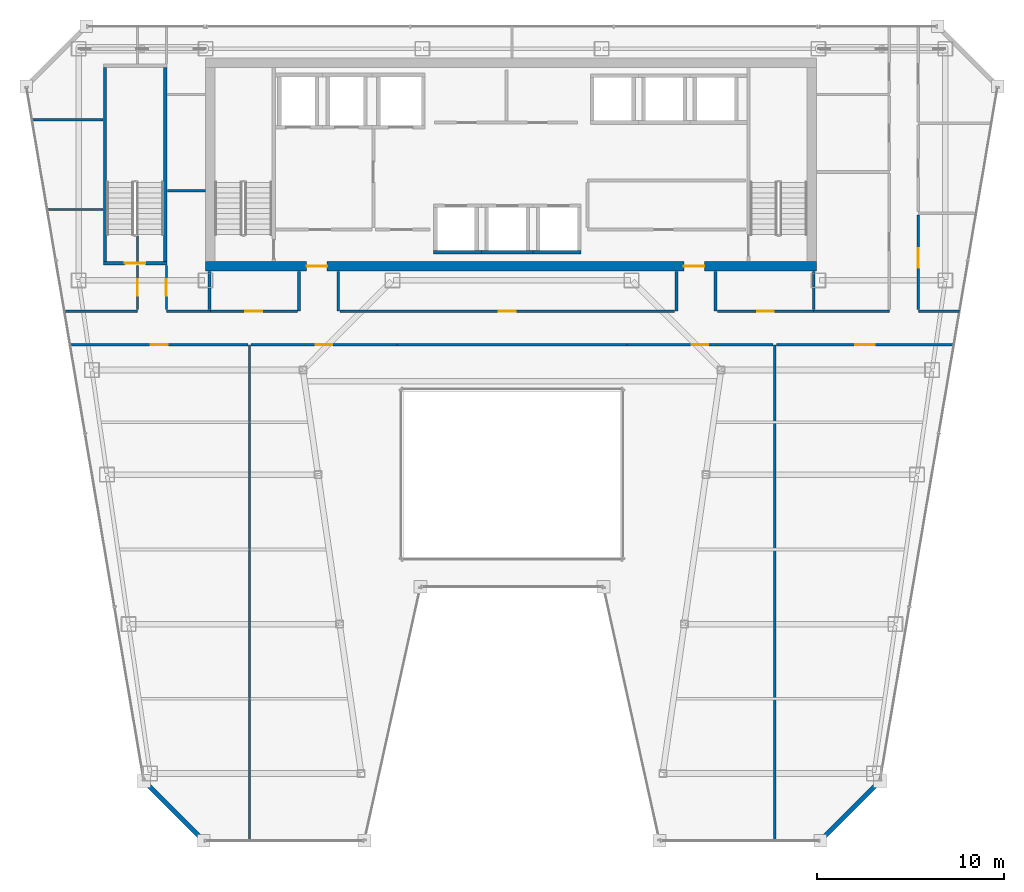
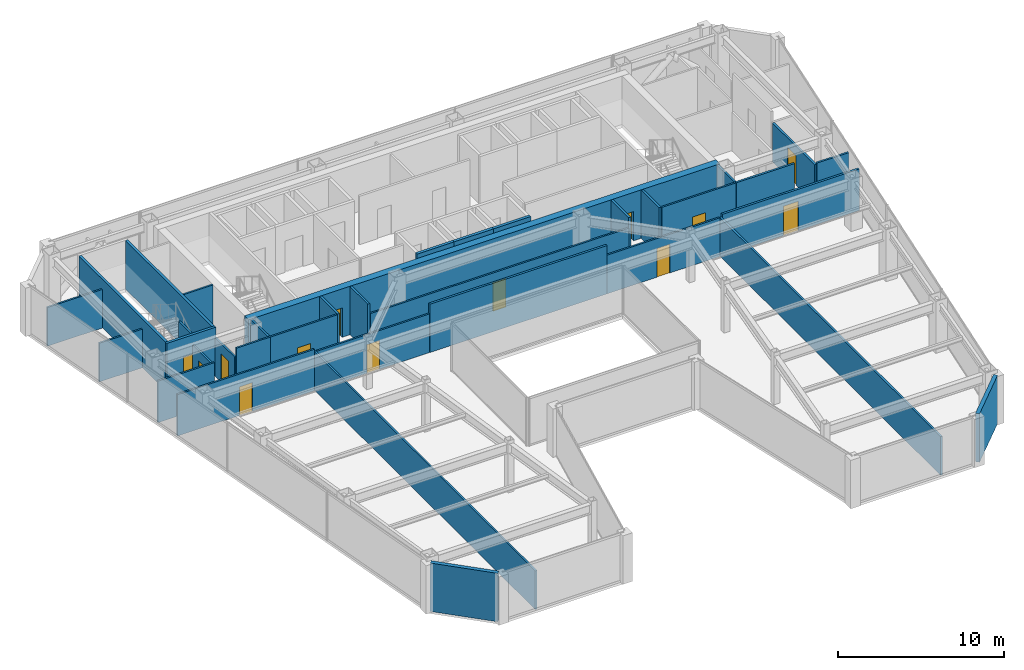
# One storey, part 30 of 35: 36 walls, 13 doors, 13 openings.
"""IFC4 building model written with IfcOpenShell, lengths in metres."""

from ifc_helpers import new_model, si_unit, direction, frame, frame_2d, origin, place, context, subcontext, project, spatial, rectangle, extrude, material, layer, layer_set, type_object, element, fill, save


model = new_model("IFC4")

# Units and contexts
model_context = context("Model", 3, precision=1e-05, world=origin(), true_north=direction((0.0, 1.0)))
body_context = subcontext(model_context, "Body", "Model", "MODEL_VIEW")
ifc_project = project(units=[si_unit("LENGTHUNIT", "METRE"), si_unit("AREAUNIT", "SQUARE_METRE"), si_unit("VOLUMEUNIT", "CUBIC_METRE"), si_unit("PLANEANGLEUNIT", "RADIAN"), si_unit("MASSUNIT", "GRAM", prefix="KILO")], contexts=[model_context])

# Site, building, storey
site_placement = place(None, origin())
site = spatial("IfcSite", under=ifc_project, at=site_placement, CompositionType="ELEMENT")
building_placement = place(site_placement, origin())
building = spatial("IfcBuilding", under=site, at=building_placement, Name="Saevonmaru Cultural Tower", CompositionType="ELEMENT")
storey_placement = place(building_placement, frame((0.0, 0.0, 213.199951171875)))
storey = spatial("IfcBuildingStorey", under=building, at=storey_placement, Name="L49", CompositionType="ELEMENT", Elevation=213.199951171875)

# Wall, openings, doors
ifc_material_1 = material(Name="Concrete C60/75", Category="concrete")
ifc_layer_1 = layer(ifc_material_1, 0.5, Name="Concrete C60/75")
ifc_layer_set_1 = layer_set([ifc_layer_1], Name="Concrete C60/75")
wall_type_1 = type_object("IfcWallType", Name="WL-CORE-500", PredefinedType="SHEAR", material=ifc_layer_set_1)
wall_1_placement = place(storey_placement, frame((13.60009765625, 43.14990234375, 0.0), z_axis=(0.0, 0.0, 1.0), x_axis=(1.0, 0.0, 0.0)))
wall_1 = element("IfcWall", 1, at=wall_1_placement, inside=storey, type_object=wall_type_1, Name="L49 Tower RC core shear wall S", PredefinedType="SHEAR", context=body_context, shape_type="SweptSolid", body=[
    extrude(rectangle(XDim=32.699951171875, YDim=0.5, at=frame_2d((16.35009765625, 0.0))), origin(), (0.0, 0.0, 1.0), 3.550048828125),
])
opening_1_placement = place(wall_1_placement, frame((5.39990234375, 0.0, 0.0)))
opening_1 = element("IfcOpeningElement", 2, at=opening_1_placement, cuts=wall_1, Name="Opening FD-2", PredefinedType="OPENING", context=body_context, shape_type="SweptSolid", body=[
    extrude(rectangle(XDim=1.10009765625, YDim=2.14990234375, at=frame_2d((0.550048828125, 1.074951171875))), frame((0.0, 0.260009765625, 0.0), z_axis=(0.0, -1.0, 0.0), x_axis=(1.0, 0.0, 0.0)), (0.0, 0.0, 1.0), 0.52001953125),
])
opening_2_placement = place(wall_1_placement, frame((25.60009765625, 0.0, 0.0)))
opening_2 = element("IfcOpeningElement", 3, at=opening_2_placement, cuts=wall_1, Name="Opening FD-2", PredefinedType="OPENING", context=body_context, shape_type="SweptSolid", body=[
    extrude(rectangle(XDim=1.10009765625, YDim=2.14990234375, at=frame_2d((0.550048828125, 1.074951171875))), frame((0.0, 0.260009765625, 0.0), z_axis=(0.0, -1.0, 0.0), x_axis=(1.0, 0.0, 0.0)), (0.0, 0.0, 1.0), 0.52001953125),
])
ifc_material_2 = material(Name="Satin Bronze Anodised Aluminium", Category="aluminium")
door_type_1 = type_object("IfcDoorType", Name="DR-FD60-1100", OperationType="SINGLE_SWING_LEFT", PredefinedType="DOOR", material=ifc_material_2)
door_1_placement = place(opening_1_placement, origin())
door_1 = element("IfcDoor", 4, at=door_1_placement, inside=storey, type_object=door_type_1, Name="L49 Core West Lobby Fire Door", OperationType="SINGLE_SWING_LEFT", OverallHeight=2.14990234375, OverallWidth=1.10009765625, PredefinedType="DOOR", context=body_context, shape_type="SweptSolid", body=[
    extrude(rectangle(XDim=1.10009765625, YDim=2.14990234375, at=frame_2d((0.550048828125, 1.074951171875))), frame((0.0, 0.02490234375, 0.0), z_axis=(0.0, -1.0, 0.0), x_axis=(1.0, 0.0, 0.0)), (0.0, 0.0, 1.0), 0.050048828125),
])
fill(opening_1, door_1)
door_2_placement = place(opening_2_placement, origin())
door_2 = element("IfcDoor", 5, at=door_2_placement, inside=storey, type_object=door_type_1, Name="L49 Core East Lobby Fire Door", OperationType="SINGLE_SWING_LEFT", OverallHeight=2.14990234375, OverallWidth=1.10009765625, PredefinedType="DOOR", context=body_context, shape_type="SweptSolid", body=[
    extrude(rectangle(XDim=1.10009765625, YDim=2.14990234375, at=frame_2d((0.550048828125, 1.074951171875))), frame((0.0, 0.02490234375, 0.0), z_axis=(0.0, -1.0, 0.0), x_axis=(1.0, 0.0, 0.0)), (0.0, 0.0, 1.0), 0.050048828125),
])
fill(opening_2, door_2)

# Walls
ifc_material_3 = material(Name="Granite-Clad Precast Concrete C40/50", Category="masonry")
ifc_layer_2 = layer(ifc_material_3, 0.260009765625, Name="Granite-Clad Precast Concrete C40/50")
ifc_layer_set_2 = layer_set([ifc_layer_2], Name="Granite-Clad Precast Concrete C40/50")
wall_type_2 = type_object("IfcWallType", Name="WL-EXT-SPANDREL-260", PredefinedType="STANDARD", material=ifc_layer_set_2)
for number, where, z_axis, x_axis, name in (
    (6, (10.410888671875, 15.48681640625, 0.0), (0.0, 0.0, 1.0), (0.707135806771, -0.70707775441, 0.0), "L49 Chamfer Corner Spandrel Wall E1"),
    (7, (46.615234375, 12.51318359375, 0.0), (0.0, 0.0, 1.0), (0.707135806771, 0.70707775441, 0.0), "L49 Chamfer Corner Spandrel Wall E7"),
):
    element("IfcWall", number, at=place(storey_placement, frame(where, z_axis=z_axis, x_axis=x_axis)), inside=storey, type_object=wall_type_2, Name=name, PredefinedType="STANDARD", context=body_context, shape_type="SweptSolid", body=[
        extrude(rectangle(XDim=4.20556640625, YDim=0.260009765625, at=frame_2d((2.102783203125, 0.0))), origin(), (0.0, 0.0, 1.0), 3.550048828125),
    ])

# Wall, opening, door
ifc_material_4 = material(Name="Gypsum Fireboard Partition", Category="gypsum")
ifc_layer_3 = layer(ifc_material_4, 0.14990234375, Name="Gypsum Fireboard Partition")
ifc_layer_set_3 = layer_set([ifc_layer_3], Name="Gypsum Fireboard Partition")
wall_type_3 = type_object("IfcWallType", Name="WL-PART-FIRE-150", PredefinedType="PARTITIONING", material=ifc_layer_set_3)
wall_2_placement = place(storey_placement, frame((51.75, 40.83740234375, 0.0), z_axis=(0.0, 0.0, 1.0), x_axis=(0.0, 1.0, 0.0)))
wall_2 = element("IfcWall", 8, at=wall_2_placement, inside=storey, type_object=wall_type_3, Name="L49 Sky Observatory Gallery Corridor Wall", PredefinedType="PARTITIONING", context=body_context, shape_type="SweptSolid", body=[
    extrude(rectangle(XDim=5.0751953125, YDim=0.14990234375, at=frame_2d((2.53759765625, 0.0))), origin(), (0.0, 0.0, 1.0), 2.8349609375),
])
opening_3_placement = place(wall_2_placement, frame((2.23291015625, 0.0, 0.0)))
opening_3 = element("IfcOpeningElement", 9, at=opening_3_placement, cuts=wall_2, Name="Opening ID-1", PredefinedType="OPENING", context=body_context, shape_type="SweptSolid", body=[
    extrude(rectangle(XDim=1.050048828125, YDim=2.14990234375, at=frame_2d((0.52490234375, 1.074951171875))), frame((0.0, 0.0849609375, 0.0), z_axis=(0.0, -1.0, 0.0), x_axis=(1.0, 0.0, 0.0)), (0.0, 0.0, 1.0), 0.169921875),
])
door_type_2 = type_object("IfcDoorType", Name="DR-INT-1050", OperationType="SINGLE_SWING_LEFT", PredefinedType="DOOR", material=ifc_material_2)
door_3_placement = place(opening_3_placement, origin())
door_3 = element("IfcDoor", 10, at=door_3_placement, inside=storey, type_object=door_type_2, Name="L49 Sky Observatory Gallery Door", OperationType="SINGLE_SWING_LEFT", OverallHeight=2.14990234375, OverallWidth=1.050048828125, PredefinedType="DOOR", context=body_context, shape_type="SweptSolid", body=[
    extrude(rectangle(XDim=1.050048828125, YDim=2.14990234375, at=frame_2d((0.52490234375, 1.074951171875))), frame((0.0, 0.02490234375, 0.0), z_axis=(0.0, -1.0, 0.0), x_axis=(1.0, 0.0, 0.0)), (0.0, 0.0, 1.0), 0.050048828125),
])
fill(opening_3, door_3)

# Walls
wall_3_placement = place(storey_placement, frame((13.800048828125, 40.830078125, 0.0), z_axis=(0.0, 0.0, 1.0), x_axis=(0.0, 1.0, 0.0)))
element("IfcWall", 11, at=wall_3_placement, inside=storey, type_object=wall_type_3, Name="L49 Core Portal Side Wall W0", PredefinedType="PARTITIONING", context=body_context, shape_type="SweptSolid", body=[
    extrude(rectangle(XDim=2.0498046875, YDim=0.14990234375, at=frame_2d((1.02490234375, 0.0))), origin(), (0.0, 0.0, 1.0), 3.550048828125),
])
for number, where, z_axis, x_axis, name in (
    (12, (18.60009765625, 40.75, 0.0), (0.0, 0.0, 1.0), (0.0, 1.0, 0.0), "L49 Core Portal Side Wall W1"),
    (13, (20.699951171875, 40.75, 0.0), (0.0, 0.0, 1.0), (0.0, 1.0, 0.0), "L49 Core Portal Side Wall W2"),
    (14, (38.800048828125, 40.75, 0.0), (0.0, 0.0, 1.0), (0.0, 1.0, 0.0), "L49 Core Portal Side Wall E1"),
    (15, (40.89990234375, 40.75, 0.0), (0.0, 0.0, 1.0), (0.0, 1.0, 0.0), "L49 Core Portal Side Wall E2"),
):
    element("IfcWall", number, at=place(storey_placement, frame(where, z_axis=z_axis, x_axis=x_axis)), inside=storey, type_object=wall_type_3, Name=name, PredefinedType="PARTITIONING", context=body_context, shape_type="SweptSolid", body=[
        extrude(rectangle(XDim=2.1298828125, YDim=0.14990234375, at=frame_2d((1.06494140625, 0.0))), origin(), (0.0, 0.0, 1.0), 3.550048828125),
    ])
wall_4_placement = place(storey_placement, frame((23.85009765625, 38.949951171875, 0.0), z_axis=(0.0, 0.0, 1.0), x_axis=(1.0, 0.0, 0.0)))
element("IfcWall", 16, at=wall_4_placement, inside=storey, type_object=wall_type_3, Name="L49 North Atrium Corridor Wall", PredefinedType="PARTITIONING", context=body_context, shape_type="SweptSolid", body=[
    extrude(rectangle(XDim=12.2998046875, YDim=0.14990234375, at=frame_2d((6.14990234375, 0.0))), origin(), (0.0, 0.0, 1.0), 3.550048828125),
])

# Wall, opening, door
wall_5_placement = place(storey_placement, frame((44.1474609375, 38.949951171875, 0.0), z_axis=(0.0, 0.0, 1.0), x_axis=(1.0, 0.0, 0.0)))
wall_5 = element("IfcWall", 17, at=wall_5_placement, inside=storey, type_object=wall_type_3, Name="L49 Sky Observatory Gallery Corridor Wall", PredefinedType="PARTITIONING", context=body_context, shape_type="SweptSolid", body=[
    extrude(rectangle(XDim=9.48974609375, YDim=0.14990234375, at=frame_2d((4.744873046875, 0.0))), origin(), (0.0, 0.0, 1.0), 3.03515625),
])
opening_4_placement = place(wall_5_placement, frame((4.219970703125, 0.0, 0.0)))
opening_4 = element("IfcOpeningElement", 18, at=opening_4_placement, cuts=wall_5, Name="Opening ID-1", PredefinedType="OPENING", context=body_context, shape_type="SweptSolid", body=[
    extrude(rectangle(XDim=1.050048828125, YDim=2.14990234375, at=frame_2d((0.52490234375, 1.074951171875))), frame((0.0, 0.0849609375, 0.0), z_axis=(0.0, -1.0, 0.0), x_axis=(1.0, 0.0, 0.0)), (0.0, 0.0, 1.0), 0.169921875),
])
door_4_placement = place(opening_4_placement, origin())
door_4 = element("IfcDoor", 19, at=door_4_placement, inside=storey, type_object=door_type_2, Name="L49 Sky Observatory Gallery Door", OperationType="SINGLE_SWING_RIGHT", OverallHeight=2.14990234375, OverallWidth=1.050048828125, PredefinedType="DOOR", context=body_context, shape_type="SweptSolid", body=[
    extrude(rectangle(XDim=1.050048828125, YDim=2.14990234375, at=frame_2d((0.52490234375, 1.074951171875))), frame((0.0, 0.02490234375, 0.0), z_axis=(0.0, -1.0, 0.0), x_axis=(1.0, 0.0, 0.0)), (0.0, 0.0, 1.0), 0.050048828125),
])
fill(opening_4, door_4)

# Walls
ifc_layer_4 = layer(ifc_material_4, 0.1201171875, Name="Gypsum Fireboard Partition")
ifc_layer_set_4 = layer_set([ifc_layer_4], Name="Gypsum Fireboard Partition")
wall_type_4 = type_object("IfcWallType", Name="WL-PART-GYP-120", PredefinedType="PARTITIONING", material=ifc_layer_set_4)
wall_6_placement = place(storey_placement, frame((6.045166015625, 40.75, 0.0), z_axis=(0.0, 0.0, 1.0), x_axis=(1.0, 0.0, 0.0)))
element("IfcWall", 20, at=wall_6_placement, inside=storey, type_object=wall_type_4, Name="L49 NW Wing South Wall", PredefinedType="PARTITIONING", context=body_context, shape_type="SweptSolid", body=[
    extrude(rectangle(XDim=3.90478515625, YDim=0.1201171875, at=frame_2d((1.952392578125, 0.0))), origin(), (0.0, 0.0, 1.0), 3.03515625),
])
wall_7_placement = place(storey_placement, frame((11.5, 40.75, 0.0), z_axis=(0.0, 0.0, 1.0), x_axis=(1.0, 0.0, 0.0)))
element("IfcWall", 21, at=wall_7_placement, inside=storey, type_object=wall_type_4, Name="L49 NW Inner South Wall", PredefinedType="PARTITIONING", context=body_context, shape_type="SweptSolid", body=[
    extrude(rectangle(XDim=2.35009765625, YDim=0.1201171875, at=frame_2d((1.175048828125, 0.0))), origin(), (0.0, 0.0, 1.0), 3.550048828125),
])
wall_8_placement = place(storey_placement, frame((5.122314453125, 46.199951171875, 0.0), z_axis=(0.0, 0.0, 1.0), x_axis=(1.0, 0.0, 0.0)))
element("IfcWall", 22, at=wall_8_placement, inside=storey, type_object=wall_type_4, Name="L49 NW Studio Divider 1", PredefinedType="PARTITIONING", context=body_context, shape_type="SweptSolid", body=[
    extrude(rectangle(XDim=2.977783203125, YDim=0.1201171875, at=frame_2d((1.48876953125, 0.0))), origin(), (0.0, 0.0, 1.0), 2.8349609375),
])
wall_9_placement = place(storey_placement, frame((4.309814453125, 51.0, 0.0), z_axis=(0.0, 0.0, 1.0), x_axis=(1.0, 0.0, 0.0)))
element("IfcWall", 23, at=wall_9_placement, inside=storey, type_object=wall_type_4, Name="L49 NW Studio Divider 2", PredefinedType="PARTITIONING", context=body_context, shape_type="SweptSolid", body=[
    extrude(rectangle(XDim=3.790283203125, YDim=0.1201171875, at=frame_2d((1.89501953125, 0.0))), origin(), (0.0, 0.0, 1.0), 2.8349609375),
])

# Wall, opening, door
wall_10_placement = place(storey_placement, frame((9.949951171875, 40.830078125, 0.0), z_axis=(0.0, 0.0, 1.0), x_axis=(0.0, 1.0, 0.0)))
wall_10 = element("IfcWall", 24, at=wall_10_placement, inside=storey, type_object=wall_type_4, Name="L49 Design Seminar Classroom Corridor Wall", PredefinedType="PARTITIONING", context=body_context, shape_type="SweptSolid", body=[
    extrude(rectangle(XDim=2.369873046875, YDim=0.1201171875, at=frame_2d((1.18505859375, 0.0))), origin(), (0.0, 0.0, 1.0), 2.8349609375),
])
opening_5_placement = place(wall_10_placement, frame((0.735107421875, 0.0, 0.0)))
opening_5 = element("IfcOpeningElement", 25, at=opening_5_placement, cuts=wall_10, Name="Opening ID-2", PredefinedType="OPENING", context=body_context, shape_type="SweptSolid", body=[
    extrude(rectangle(XDim=0.89990234375, YDim=2.10009765625, at=frame_2d((0.449951171875, 1.050048828125))), frame((0.0, 0.070068359375, 0.0), z_axis=(0.0, -1.0, 0.0), x_axis=(1.0, 0.0, 0.0)), (0.0, 0.0, 1.0), 0.14013671875),
])
ifc_material_5 = material(Name="Acoustic Stained Oak Timber", Category="wood")
door_type_3 = type_object("IfcDoorType", Name="DR-INT-900", OperationType="SINGLE_SWING_RIGHT", PredefinedType="DOOR", material=ifc_material_5)
door_5_placement = place(opening_5_placement, origin())
door_5 = element("IfcDoor", 26, at=door_5_placement, inside=storey, type_object=door_type_3, Name="L49 Design Seminar Classroom Door", OperationType="SINGLE_SWING_LEFT", OverallHeight=2.10009765625, OverallWidth=0.89990234375, PredefinedType="DOOR", context=body_context, shape_type="SweptSolid", body=[
    extrude(rectangle(XDim=0.89990234375, YDim=2.10009765625, at=frame_2d((0.449951171875, 1.050048828125))), frame((0.0, 0.02490234375, 0.0), z_axis=(0.0, -1.0, 0.0), x_axis=(1.0, 0.0, 0.0)), (0.0, 0.0, 1.0), 0.050048828125),
])
fill(opening_5, door_5)

# Walls
wall_11_placement = place(storey_placement, frame((9.949951171875, 43.419921875, 0.0), z_axis=(0.0, 0.0, 1.0), x_axis=(0.0, 1.0, 0.0)))
element("IfcWall", 27, at=wall_11_placement, inside=storey, type_object=wall_type_4, Name="L49 Design Seminar Classroom Corridor Wall (2)", PredefinedType="PARTITIONING", context=body_context, shape_type="SweptSolid", body=[
    extrude(rectangle(XDim=1.4501953125, YDim=0.1201171875, at=frame_2d((0.72509765625, 0.0))), origin(), (0.0, 0.0, 1.0), 3.550048828125),
])
wall_12_placement = place(storey_placement, frame((11.550048828125, 47.199951171875, 0.0), z_axis=(0.0, 0.0, 1.0), x_axis=(1.0, 0.0, 0.0)))
element("IfcWall", 28, at=wall_12_placement, inside=storey, type_object=wall_type_4, Name="L49 NW Inner Divider", PredefinedType="PARTITIONING", context=body_context, shape_type="SweptSolid", body=[
    extrude(rectangle(XDim=2.030029296875, YDim=0.1201171875, at=frame_2d((1.01513671875, 0.0))), origin(), (0.0, 0.0, 1.0), 3.550048828125),
])

# Wall, opening, door
wall_13_placement = place(storey_placement, frame((11.5, 40.830078125, 0.0), z_axis=(0.0, 0.0, 1.0), x_axis=(0.0, 1.0, 0.0)))
wall_13 = element("IfcWall", 29, at=wall_13_placement, inside=storey, type_object=wall_type_4, Name="L49 Printmaking Workshop Classroom Corridor Wall", PredefinedType="PARTITIONING", context=body_context, shape_type="SweptSolid", body=[
    extrude(rectangle(XDim=2.369873046875, YDim=0.1201171875, at=frame_2d((1.18505859375, 0.0))), origin(), (0.0, 0.0, 1.0), 2.8349609375),
])
opening_6_placement = place(wall_13_placement, frame((0.735107421875, 0.0, 0.0)))
opening_6 = element("IfcOpeningElement", 30, at=opening_6_placement, cuts=wall_13, Name="Opening ID-2", PredefinedType="OPENING", context=body_context, shape_type="SweptSolid", body=[
    extrude(rectangle(XDim=0.89990234375, YDim=2.10009765625, at=frame_2d((0.449951171875, 1.050048828125))), frame((0.0, 0.070068359375, 0.0), z_axis=(0.0, -1.0, 0.0), x_axis=(1.0, 0.0, 0.0)), (0.0, 0.0, 1.0), 0.14013671875),
])
door_6_placement = place(opening_6_placement, origin())
door_6 = element("IfcDoor", 31, at=door_6_placement, inside=storey, type_object=door_type_3, Name="L49 Printmaking Workshop Classroom Door", OperationType="SINGLE_SWING_RIGHT", OverallHeight=2.10009765625, OverallWidth=0.89990234375, PredefinedType="DOOR", context=body_context, shape_type="SweptSolid", body=[
    extrude(rectangle(XDim=0.89990234375, YDim=2.10009765625, at=frame_2d((0.449951171875, 1.050048828125))), frame((0.0, 0.02490234375, 0.0), z_axis=(0.0, -1.0, 0.0), x_axis=(1.0, 0.0, 0.0)), (0.0, 0.0, 1.0), 0.050048828125),
])
fill(opening_6, door_6)

wall_14_placement = place(storey_placement, frame((13.85009765625, 40.75, 0.0), z_axis=(0.0, 0.0, 1.0), x_axis=(1.0, 0.0, 0.0)))
wall_14 = element("IfcWall", 32, at=wall_14_placement, inside=storey, type_object=wall_type_4, Name="L49 Design Seminar Classroom Corridor Wall", PredefinedType="PARTITIONING", context=body_context, shape_type="SweptSolid", body=[
    extrude(rectangle(XDim=4.65478515625, YDim=0.1201171875, at=frame_2d((2.327392578125, 0.0))), origin(), (0.0, 0.0, 1.0), 3.550048828125),
])
opening_7_placement = place(wall_14_placement, frame((1.876953125, 0.0, 0.0)))
opening_7 = element("IfcOpeningElement", 33, at=opening_7_placement, cuts=wall_14, Name="Opening ID-2", PredefinedType="OPENING", context=body_context, shape_type="SweptSolid", body=[
    extrude(rectangle(XDim=0.89990234375, YDim=2.10009765625, at=frame_2d((0.449951171875, 1.050048828125))), frame((0.0, 0.070068359375, 0.0), z_axis=(0.0, -1.0, 0.0), x_axis=(1.0, 0.0, 0.0)), (0.0, 0.0, 1.0), 0.14013671875),
])
door_7_placement = place(opening_7_placement, origin())
door_7 = element("IfcDoor", 34, at=door_7_placement, inside=storey, type_object=door_type_3, Name="L49 Design Seminar Classroom Door", OperationType="SINGLE_SWING_RIGHT", OverallHeight=2.10009765625, OverallWidth=0.89990234375, PredefinedType="DOOR", context=body_context, shape_type="SweptSolid", body=[
    extrude(rectangle(XDim=0.89990234375, YDim=2.10009765625, at=frame_2d((0.449951171875, 1.050048828125))), frame((0.0, 0.02490234375, 0.0), z_axis=(0.0, -1.0, 0.0), x_axis=(1.0, 0.0, 0.0)), (0.0, 0.0, 1.0), 0.050048828125),
])
fill(opening_7, door_7)

wall_15_placement = place(storey_placement, frame((20.794921875, 40.75, 0.0), z_axis=(0.0, 0.0, 1.0), x_axis=(1.0, 0.0, 0.0)))
wall_15 = element("IfcWall", 35, at=wall_15_placement, inside=storey, type_object=wall_type_4, Name="L49 Printmaking Workshop Classroom Corridor Wall", PredefinedType="PARTITIONING", context=body_context, shape_type="SweptSolid", body=[
    extrude(rectangle(XDim=17.91015625, YDim=0.1201171875, at=frame_2d((8.955078125, 0.0))), origin(), (0.0, 0.0, 1.0), 2.8349609375),
])
opening_8_placement = place(wall_15_placement, frame((8.5048828125, 0.0, 0.0)))
opening_8 = element("IfcOpeningElement", 36, at=opening_8_placement, cuts=wall_15, Name="Opening ID-2", PredefinedType="OPENING", context=body_context, shape_type="SweptSolid", body=[
    extrude(rectangle(XDim=0.89990234375, YDim=2.10009765625, at=frame_2d((0.449951171875, 1.050048828125))), frame((0.0, 0.070068359375, 0.0), z_axis=(0.0, -1.0, 0.0), x_axis=(1.0, 0.0, 0.0)), (0.0, 0.0, 1.0), 0.14013671875),
])
door_8_placement = place(opening_8_placement, origin())
door_8 = element("IfcDoor", 37, at=door_8_placement, inside=storey, type_object=door_type_3, Name="L49 Printmaking Workshop Classroom Door", OperationType="SINGLE_SWING_LEFT", OverallHeight=2.10009765625, OverallWidth=0.89990234375, PredefinedType="DOOR", context=body_context, shape_type="SweptSolid", body=[
    extrude(rectangle(XDim=0.89990234375, YDim=2.10009765625, at=frame_2d((0.449951171875, 1.050048828125))), frame((0.0, 0.02490234375, 0.0), z_axis=(0.0, -1.0, 0.0), x_axis=(1.0, 0.0, 0.0)), (0.0, 0.0, 1.0), 0.050048828125),
])
fill(opening_8, door_8)

wall_16_placement = place(storey_placement, frame((40.9951171875, 40.75, 0.0), z_axis=(0.0, 0.0, 1.0), x_axis=(1.0, 0.0, 0.0)))
wall_16 = element("IfcWall", 38, at=wall_16_placement, inside=storey, type_object=wall_type_4, Name="L49 Typography Design Classroom Corridor Wall", PredefinedType="PARTITIONING", context=body_context, shape_type="SweptSolid", body=[
    extrude(rectangle(XDim=5.15478515625, YDim=0.1201171875, at=frame_2d((2.577392578125, 0.0))), origin(), (0.0, 0.0, 1.0), 3.550048828125),
])
opening_9_placement = place(wall_16_placement, frame((2.1279296875, 0.0, 0.0)))
opening_9 = element("IfcOpeningElement", 39, at=opening_9_placement, cuts=wall_16, Name="Opening ID-2", PredefinedType="OPENING", context=body_context, shape_type="SweptSolid", body=[
    extrude(rectangle(XDim=0.89990234375, YDim=2.10009765625, at=frame_2d((0.449951171875, 1.050048828125))), frame((0.0, 0.070068359375, 0.0), z_axis=(0.0, -1.0, 0.0), x_axis=(1.0, 0.0, 0.0)), (0.0, 0.0, 1.0), 0.14013671875),
])
door_9_placement = place(opening_9_placement, origin())
door_9 = element("IfcDoor", 40, at=door_9_placement, inside=storey, type_object=door_type_3, Name="L49 Typography Design Classroom Door", OperationType="SINGLE_SWING_RIGHT", OverallHeight=2.10009765625, OverallWidth=0.89990234375, PredefinedType="DOOR", context=body_context, shape_type="SweptSolid", body=[
    extrude(rectangle(XDim=0.89990234375, YDim=2.10009765625, at=frame_2d((0.449951171875, 1.050048828125))), frame((0.0, 0.02490234375, 0.0), z_axis=(0.0, -1.0, 0.0), x_axis=(1.0, 0.0, 0.0)), (0.0, 0.0, 1.0), 0.050048828125),
])
fill(opening_9, door_9)

# Wall
wall_17_placement = place(storey_placement, frame((15.93994140625, 12.405029296875, 0.0), z_axis=(0.0, 0.0, 1.0), x_axis=(0.0, 1.0, 0.0)))
element("IfcWall", 41, at=wall_17_placement, inside=storey, type_object=wall_type_4, Name="L49 West Bay Divider 1", PredefinedType="PARTITIONING", context=body_context, shape_type="SweptSolid", body=[
    extrude(rectangle(XDim=26.544921875, YDim=0.1201171875, at=frame_2d((13.2724609375, 0.0))), origin(), (0.0, 0.0, 1.0), 2.8349609375),
])

# Wall, opening, door
wall_18_placement = place(storey_placement, frame((6.36279296875, 38.949951171875, 0.0), z_axis=(0.0, 0.0, 1.0), x_axis=(1.0, 0.0, 0.0)))
wall_18 = element("IfcWall", 42, at=wall_18_placement, inside=storey, type_object=wall_type_4, Name="L49 Design Seminar Classroom Corridor Wall", PredefinedType="PARTITIONING", context=body_context, shape_type="SweptSolid", body=[
    extrude(rectangle(XDim=9.497314453125, YDim=0.1201171875, at=frame_2d((4.74853515625, 0.0))), origin(), (0.0, 0.0, 1.0), 3.03515625),
])
opening_10_placement = place(wall_18_placement, frame((4.299072265625, 0.0, 0.0)))
opening_10 = element("IfcOpeningElement", 43, at=opening_10_placement, cuts=wall_18, Name="Opening ID-2", PredefinedType="OPENING", context=body_context, shape_type="SweptSolid", body=[
    extrude(rectangle(XDim=0.89990234375, YDim=2.10009765625, at=frame_2d((0.449951171875, 1.050048828125))), frame((0.0, 0.070068359375, 0.0), z_axis=(0.0, -1.0, 0.0), x_axis=(1.0, 0.0, 0.0)), (0.0, 0.0, 1.0), 0.14013671875),
])
door_10_placement = place(opening_10_placement, origin())
door_10 = element("IfcDoor", 44, at=door_10_placement, inside=storey, type_object=door_type_3, Name="L49 Design Seminar Classroom Door", OperationType="SINGLE_SWING_LEFT", OverallHeight=2.10009765625, OverallWidth=0.89990234375, PredefinedType="DOOR", context=body_context, shape_type="SweptSolid", body=[
    extrude(rectangle(XDim=0.89990234375, YDim=2.10009765625, at=frame_2d((0.449951171875, 1.050048828125))), frame((0.0, 0.02490234375, 0.0), z_axis=(0.0, -1.0, 0.0), x_axis=(1.0, 0.0, 0.0)), (0.0, 0.0, 1.0), 0.050048828125),
])
fill(opening_10, door_10)

wall_19_placement = place(storey_placement, frame((16.02001953125, 38.949951171875, 0.0), z_axis=(0.0, 0.0, 1.0), x_axis=(1.0, 0.0, 0.0)))
wall_19 = element("IfcWall", 45, at=wall_19_placement, inside=storey, type_object=wall_type_4, Name="L49 Printmaking Workshop Classroom Corridor Wall", PredefinedType="PARTITIONING", context=body_context, shape_type="SweptSolid", body=[
    extrude(rectangle(XDim=7.830078125, YDim=0.1201171875, at=frame_2d((3.9150390625, 0.0))), origin(), (0.0, 0.0, 1.0), 2.8349609375),
])
opening_11_placement = place(wall_19_placement, frame((3.465087890625, 0.0, 0.0)))
opening_11 = element("IfcOpeningElement", 46, at=opening_11_placement, cuts=wall_19, Name="Opening ID-2", PredefinedType="OPENING", context=body_context, shape_type="SweptSolid", body=[
    extrude(rectangle(XDim=0.89990234375, YDim=2.10009765625, at=frame_2d((0.449951171875, 1.050048828125))), frame((0.0, 0.070068359375, 0.0), z_axis=(0.0, -1.0, 0.0), x_axis=(1.0, 0.0, 0.0)), (0.0, 0.0, 1.0), 0.14013671875),
])
door_11_placement = place(opening_11_placement, origin())
door_11 = element("IfcDoor", 47, at=door_11_placement, inside=storey, type_object=door_type_3, Name="L49 Printmaking Workshop Classroom Door", OperationType="SINGLE_SWING_RIGHT", OverallHeight=2.10009765625, OverallWidth=0.89990234375, PredefinedType="DOOR", context=body_context, shape_type="SweptSolid", body=[
    extrude(rectangle(XDim=0.89990234375, YDim=2.10009765625, at=frame_2d((0.449951171875, 1.050048828125))), frame((0.0, 0.02490234375, 0.0), z_axis=(0.0, -1.0, 0.0), x_axis=(1.0, 0.0, 0.0)), (0.0, 0.0, 1.0), 0.050048828125),
])
fill(opening_11, door_11)

wall_20_placement = place(storey_placement, frame((36.14990234375, 38.949951171875, 0.0), z_axis=(0.0, 0.0, 1.0), x_axis=(1.0, 0.0, 0.0)))
wall_20 = element("IfcWall", 48, at=wall_20_placement, inside=storey, type_object=wall_type_4, Name="L49 Typography Design Classroom Corridor Wall", PredefinedType="PARTITIONING", context=body_context, shape_type="SweptSolid", body=[
    extrude(rectangle(XDim=7.822509765625, YDim=0.1201171875, at=frame_2d((3.9111328125, 0.0))), origin(), (0.0, 0.0, 1.0), 2.8349609375),
])
opening_12_placement = place(wall_20_placement, frame((3.4609375, 0.0, 0.0)))
opening_12 = element("IfcOpeningElement", 49, at=opening_12_placement, cuts=wall_20, Name="Opening ID-2", PredefinedType="OPENING", context=body_context, shape_type="SweptSolid", body=[
    extrude(rectangle(XDim=0.89990234375, YDim=2.10009765625, at=frame_2d((0.449951171875, 1.050048828125))), frame((0.0, 0.070068359375, 0.0), z_axis=(0.0, -1.0, 0.0), x_axis=(1.0, 0.0, 0.0)), (0.0, 0.0, 1.0), 0.14013671875),
])
door_12_placement = place(opening_12_placement, origin())
door_12 = element("IfcDoor", 50, at=door_12_placement, inside=storey, type_object=door_type_3, Name="L49 Typography Design Classroom Door", OperationType="SINGLE_SWING_LEFT", OverallHeight=2.10009765625, OverallWidth=0.89990234375, PredefinedType="DOOR", context=body_context, shape_type="SweptSolid", body=[
    extrude(rectangle(XDim=0.89990234375, YDim=2.10009765625, at=frame_2d((0.449951171875, 1.050048828125))), frame((0.0, 0.02490234375, 0.0), z_axis=(0.0, -1.0, 0.0), x_axis=(1.0, 0.0, 0.0)), (0.0, 0.0, 1.0), 0.050048828125),
])
fill(opening_12, door_12)

# Walls
ifc_layer_5 = layer(ifc_material_4, 0.135009765625, Name="Gypsum Fireboard Partition")
ifc_layer_set_5 = layer_set([ifc_layer_5], Name="Gypsum Fireboard Partition")
wall_type_5 = type_object("IfcWallType", Name="WL-PART-GYP-135", PredefinedType="PARTITIONING", material=ifc_layer_set_5)
wall_21_placement = place(storey_placement, frame((51.75, 40.75, 0.0), z_axis=(0.0, 0.0, 1.0), x_axis=(1.0, 0.0, 0.0)))
element("IfcWall", 51, at=wall_21_placement, inside=storey, type_object=wall_type_5, Name="L49 NE Wing South Wall", PredefinedType="PARTITIONING", context=body_context, shape_type="SweptSolid", body=[
    extrude(rectangle(XDim=2.204833984375, YDim=0.135009765625, at=frame_2d((1.1025390625, 0.0))), origin(), (0.0, 0.0, 1.0), 3.03515625),
])
wall_22_placement = place(storey_placement, frame((44.06005859375, 12.405029296875, 0.0), z_axis=(0.0, 0.0, 1.0), x_axis=(0.0, 1.0, 0.0)))
element("IfcWall", 52, at=wall_22_placement, inside=storey, type_object=wall_type_5, Name="L49 East Bay Divider 1", PredefinedType="PARTITIONING", context=body_context, shape_type="SweptSolid", body=[
    extrude(rectangle(XDim=26.544921875, YDim=0.135009765625, at=frame_2d((13.2724609375, 0.0))), origin(), (0.0, 0.0, 1.0), 2.8349609375),
])
ifc_layer_6 = layer(ifc_material_4, 0.139892578125, Name="Gypsum Fireboard Partition")
ifc_layer_set_6 = layer_set([ifc_layer_6], Name="Gypsum Fireboard Partition")
wall_type_6 = type_object("IfcWallType", Name="WL-PART-WET-140", PredefinedType="PARTITIONING", material=ifc_layer_set_6)
wall_23_placement = place(storey_placement, frame((46.14990234375, 40.75, 0.0), z_axis=(0.0, 0.0, 1.0), x_axis=(1.0, 0.0, 0.0)))
element("IfcWall", 53, at=wall_23_placement, inside=storey, type_object=wall_type_6, Name="L49 Washroom South Wall", PredefinedType="PARTITIONING", context=body_context, shape_type="SweptSolid", body=[
    extrude(rectangle(XDim=4.050048828125, YDim=0.139892578125, at=frame_2d((2.02490234375, 0.0))), origin(), (0.0, 0.0, 1.0), 3.550048828125),
])
wall_24_placement = place(storey_placement, frame((46.14990234375, 40.840087890625, 0.0), z_axis=(0.0, 0.0, 1.0), x_axis=(0.0, 1.0, 0.0)))
element("IfcWall", 54, at=wall_24_placement, inside=storey, type_object=wall_type_6, Name="L49 Washroom South-West Return", PredefinedType="PARTITIONING", context=body_context, shape_type="SweptSolid", body=[
    extrude(rectangle(XDim=2.039794921875, YDim=0.139892578125, at=frame_2d((1.02001953125, 0.0))), origin(), (0.0, 0.0, 1.0), 3.550048828125),
])
ifc_material_6 = material(Name="Concrete C40/50", Category="concrete")
ifc_layer_7 = layer(ifc_material_6, 0.199951171875, Name="Concrete C40/50")
ifc_layer_set_7 = layer_set([ifc_layer_7], Name="Concrete C40/50")
wall_type_7 = type_object("IfcWallType", Name="WL-SHAFT-200", PredefinedType="SHEAR", material=ifc_layer_set_7)
wall_25_placement = place(storey_placement, frame((25.800048828125, 43.89990234375, 0.0), z_axis=(0.0, 0.0, 1.0), x_axis=(1.0, 0.0, 0.0)))
element("IfcWall", 55, at=wall_25_placement, inside=storey, type_object=wall_type_7, Name="L49 Lift PL-M1 Hoistway Wall S", PredefinedType="SHEAR", context=body_context, shape_type="SweptSolid", body=[
    extrude(rectangle(XDim=2.574951171875, YDim=0.199951171875, at=frame_2d((1.28759765625, 0.0))), origin(), (0.0, 0.0, 1.0), 3.550048828125),
])
wall_26_placement = place(storey_placement, frame((28.375, 43.89990234375, 0.0), z_axis=(0.0, 0.0, 1.0), x_axis=(1.0, 0.0, 0.0)))
element("IfcWall", 56, at=wall_26_placement, inside=storey, type_object=wall_type_7, Name="L49 Lift PL-M2 Hoistway Wall S", PredefinedType="SHEAR", context=body_context, shape_type="SweptSolid", body=[
    extrude(rectangle(XDim=2.75, YDim=0.199951171875, at=frame_2d((1.375, 0.0))), origin(), (0.0, 0.0, 1.0), 3.550048828125),
])
wall_27_placement = place(storey_placement, frame((31.125, 43.89990234375, 0.0), z_axis=(0.0, 0.0, 1.0), x_axis=(1.0, 0.0, 0.0)))
element("IfcWall", 57, at=wall_27_placement, inside=storey, type_object=wall_type_7, Name="L49 Lift PL-M3 Hoistway Wall S", PredefinedType="SHEAR", context=body_context, shape_type="SweptSolid", body=[
    extrude(rectangle(XDim=2.574951171875, YDim=0.199951171875, at=frame_2d((1.28759765625, 0.0))), origin(), (0.0, 0.0, 1.0), 3.550048828125),
])

# Wall, opening, door
ifc_layer_8 = layer(ifc_material_6, 0.179931640625, Name="Concrete C40/50")
ifc_layer_set_8 = layer_set([ifc_layer_8], Name="Concrete C40/50")
wall_type_8 = type_object("IfcWallType", Name="WL-STSHAFT-180", PredefinedType="SHEAR", material=ifc_layer_set_8)
wall_28_placement = place(storey_placement, frame((8.1201171875, 43.31005859375, 0.0), z_axis=(0.0, 0.0, 1.0), x_axis=(1.0, 0.0, 0.0)))
wall_28 = element("IfcWall", 58, at=wall_28_placement, inside=storey, type_object=wall_type_8, Name="L49 Stair ST-3 Structural Shaft Wall 1", PredefinedType="SHEAR", context=body_context, shape_type="SweptSolid", body=[
    extrude(rectangle(XDim=3.409912109375, YDim=0.179931640625, at=frame_2d((1.705078125, 0.0))), origin(), (0.0, 0.0, 1.0), 3.550048828125),
])
opening_13_placement = place(wall_28_placement, frame((1.14990234375, 0.0, 0.0)))
opening_13 = element("IfcOpeningElement", 59, at=opening_13_placement, cuts=wall_28, Name="Opening FD-2", PredefinedType="OPENING", context=body_context, shape_type="SweptSolid", body=[
    extrude(rectangle(XDim=1.10009765625, YDim=2.14990234375, at=frame_2d((0.550048828125, 1.074951171875))), frame((0.0, 0.10009765625, 0.0), z_axis=(0.0, -1.0, 0.0), x_axis=(1.0, 0.0, 0.0)), (0.0, 0.0, 1.0), 0.199951171875),
])
door_13_placement = place(opening_13_placement, origin())
door_13 = element("IfcDoor", 60, at=door_13_placement, inside=storey, type_object=door_type_1, Name="L49 Protected Stair ST-3 Fire Door", OperationType="SINGLE_SWING_LEFT", OverallHeight=2.14990234375, OverallWidth=1.10009765625, PredefinedType="DOOR", context=body_context, shape_type="SweptSolid", body=[
    extrude(rectangle(XDim=1.10009765625, YDim=2.14990234375, at=frame_2d((0.550048828125, 1.074951171875))), frame((0.0, 0.02490234375, 0.0), z_axis=(0.0, -1.0, 0.0), x_axis=(1.0, 0.0, 0.0)), (0.0, 0.0, 1.0), 0.050048828125),
])
fill(opening_13, door_13)

# Walls
for number, where, z_axis, x_axis, name in (
    (61, (11.43994140625, 43.39990234375, 0.0), (0.0, 0.0, 1.0), (0.0, 1.0, 0.0), "L49 Stair ST-3 Structural Shaft Wall 2"),
    (62, (8.2099609375, 53.800048828125, 0.0), (0.0, 0.0, 1.0), (0.0, -1.0, 0.0), "L49 Stair ST-3 Structural Shaft Wall 4"),
):
    element("IfcWall", number, at=place(storey_placement, frame(where, z_axis=z_axis, x_axis=x_axis)), inside=storey, type_object=wall_type_8, Name=name, PredefinedType="SHEAR", context=body_context, shape_type="SweptSolid", body=[
        extrude(rectangle(XDim=10.400146484375, YDim=0.179931640625, at=frame_2d((5.2001953125, 0.0))), origin(), (0.0, 0.0, 1.0), 3.550048828125),
    ])

save(model, "model.ifc")
